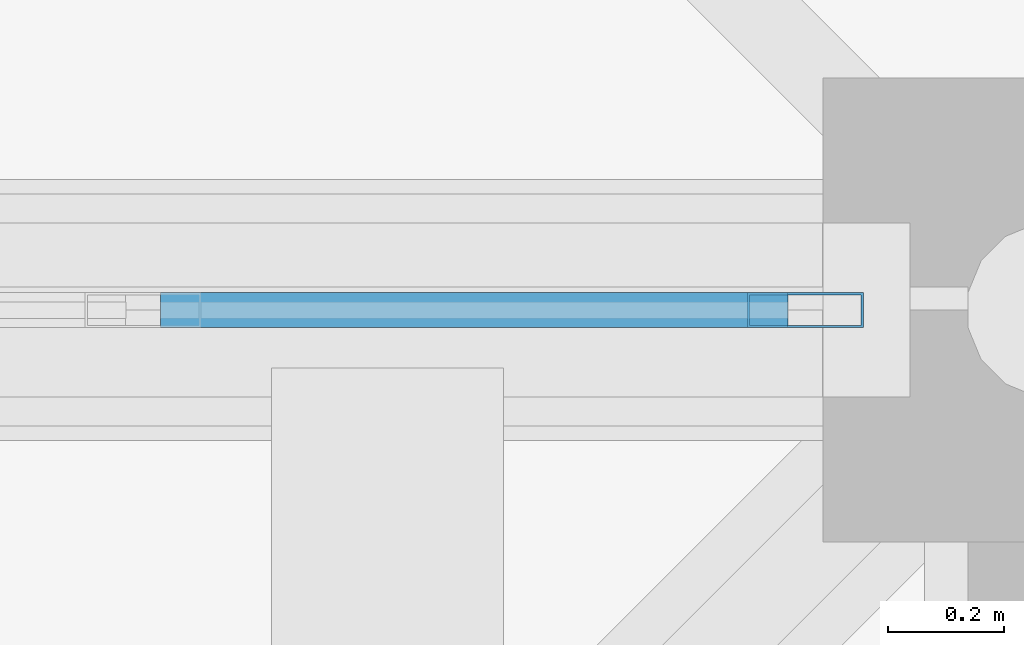
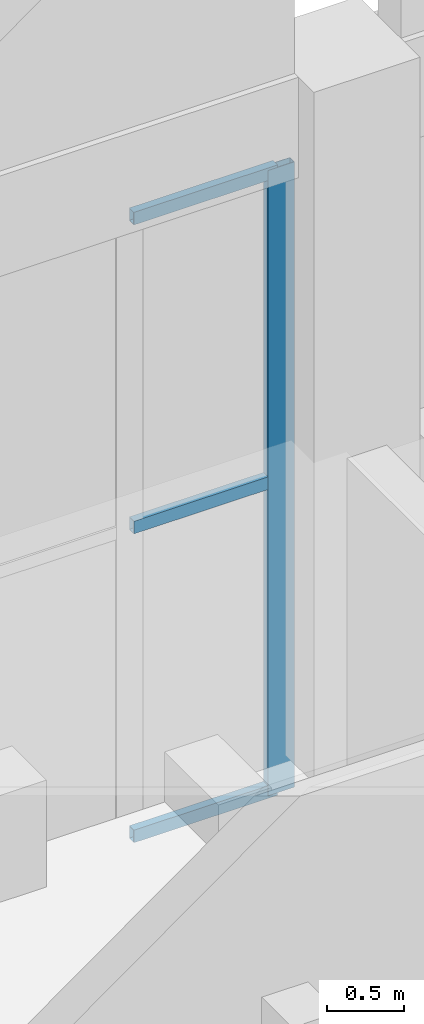
# One storey, part 139 of 437: 4 members, 1 element without a shape of its own.
"""IFC4 building model written with IfcOpenShell, lengths in metres."""

from ifc_helpers import new_model, si_unit, direction, frame, origin, origin_2d, place, context, subcontext, project, spatial, hollow_rectangle, extrude, material, layer, layer_set, material_profile, profile_set, type_object, element, aggregate, save


model = new_model("IFC4")

# Units and contexts
model_context = context("Model", 3, precision=1e-05, world=origin(), true_north=direction((0.0, 1.0)))
body_context = subcontext(model_context, "Body", "Model", "MODEL_VIEW")
ifc_project = project(units=[si_unit("LENGTHUNIT", "METRE"), si_unit("AREAUNIT", "SQUARE_METRE"), si_unit("VOLUMEUNIT", "CUBIC_METRE"), si_unit("PLANEANGLEUNIT", "RADIAN"), si_unit("MASSUNIT", "GRAM", prefix="KILO")], contexts=[model_context])

# Site, building, storey
site_placement = place(None, origin())
site = spatial("IfcSite", under=ifc_project, at=site_placement, CompositionType="ELEMENT")
building_placement = place(site_placement, origin())
building = spatial("IfcBuilding", under=site, at=building_placement, Name="Opaline Strait Convention Centre", CompositionType="ELEMENT")
storey_placement = place(building_placement, frame((0.0, 0.0, 11.5)))
storey = spatial("IfcBuildingStorey", under=building, at=storey_placement, Name="L02", CompositionType="ELEMENT", Elevation=11.5)

# Curtain wall, members
ifc_material_1 = material(Name="Aluminium framed double glazing", Category="aluminium")
ifc_layer = layer(ifc_material_1, 0.199951171875)
ifc_layer_set = layer_set([ifc_layer], Name="Aluminium framed double glazing")
curtain_wall_type = type_object("IfcCurtainWallType", Name="Curtain wall 1250", PredefinedType="NOTDEFINED", material=ifc_layer_set)
curtain_wall_placement = place(storey_placement, origin())
curtain_wall = element("IfcCurtainWall", 1, at=curtain_wall_placement, inside=storey, type_object=curtain_wall_type, Name="Curtain wall N-54-L02", PredefinedType="NOTDEFINED")
ifc_material_2 = material(Name="Aluminium alloy 6063", Category="aluminium")
ifc_material_profile_1 = material_profile(ifc_material_2, hollow_rectangle(XDim=0.06005859375, YDim=0.199951171875, WallThickness=0.00390625, at=origin_2d()), Name="MULLION 60x200x4")
ifc_profile_set_1 = profile_set([ifc_material_profile_1], Name="Aluminium alloy 6063")
member_type_1 = type_object("IfcMemberType", Name="Curtain wall mullion 60 x 200", PredefinedType="MULLION", material=ifc_profile_set_1)
member_1_placement = place(storey_placement, frame((62.570068359375, 180.0, -0.280029296875), z_axis=(0.0, 0.0, 1.0), x_axis=(0.0, 1.0, 0.0)))
member_1 = element("IfcMember", 2, at=member_1_placement, type_object=member_type_1, Name="PCW mullion 8", PredefinedType="MULLION", context=body_context, shape_type="SweptSolid", body=[
    extrude(hollow_rectangle(XDim=0.06005859375, YDim=0.199951171875, WallThickness=0.00390625, at=origin_2d()), origin(), (0.0, 0.0, 1.0), 4.97998046875),
])
ifc_material_profile_2 = material_profile(ifc_material_2, hollow_rectangle(XDim=0.06005859375, YDim=0.10009765625, WallThickness=0.0029296875, at=origin_2d()), Name="TRANSOM 60x100x3")
ifc_profile_set_2 = profile_set([ifc_material_profile_2], Name="Aluminium alloy 6063")
member_type_2 = type_object("IfcMemberType", Name="Curtain wall transom 60 x 100", PredefinedType="USERDEFINED", material=ifc_profile_set_2)
member_2_placement = place(storey_placement, frame((61.458740234375, 180.0, -0.25), z_axis=(1.0, 0.0, 0.0), x_axis=(0.0, 1.0, 0.0)))
member_2 = element("IfcMember", 3, at=member_2_placement, type_object=member_type_2, Name="PCW transom 7.1", ObjectType="TRANSOM", PredefinedType="USERDEFINED", context=body_context, shape_type="SweptSolid", body=[
    extrude(hollow_rectangle(XDim=0.06005859375, YDim=0.10009765625, WallThickness=0.0029296875, at=origin_2d()), origin(), (0.0, 0.0, 1.0), 1.081298828125),
])
member_3_placement = place(storey_placement, frame((61.458740234375, 180.0, 2.2099609375), z_axis=(1.0, 0.0, 0.0), x_axis=(0.0, 1.0, 0.0)))
member_3 = element("IfcMember", 4, at=member_3_placement, type_object=member_type_2, Name="PCW transom 7.2", ObjectType="TRANSOM", PredefinedType="USERDEFINED", context=body_context, shape_type="SweptSolid", body=[
    extrude(hollow_rectangle(XDim=0.06005859375, YDim=0.10009765625, WallThickness=0.0029296875, at=origin_2d()), origin(), (0.0, 0.0, 1.0), 1.081298828125),
])
member_4_placement = place(storey_placement, frame((61.458740234375, 180.0, 4.669921875), z_axis=(1.0, 0.0, 0.0), x_axis=(0.0, 1.0, 0.0)))
member_4 = element("IfcMember", 5, at=member_4_placement, type_object=member_type_2, Name="PCW transom 7.3", ObjectType="TRANSOM", PredefinedType="USERDEFINED", context=body_context, shape_type="SweptSolid", body=[
    extrude(hollow_rectangle(XDim=0.06005859375, YDim=0.10009765625, WallThickness=0.0029296875, at=origin_2d()), origin(), (0.0, 0.0, 1.0), 1.081298828125),
])
aggregate(curtain_wall, [member_1, member_2, member_3, member_4])

save(model, "model.ifc")
